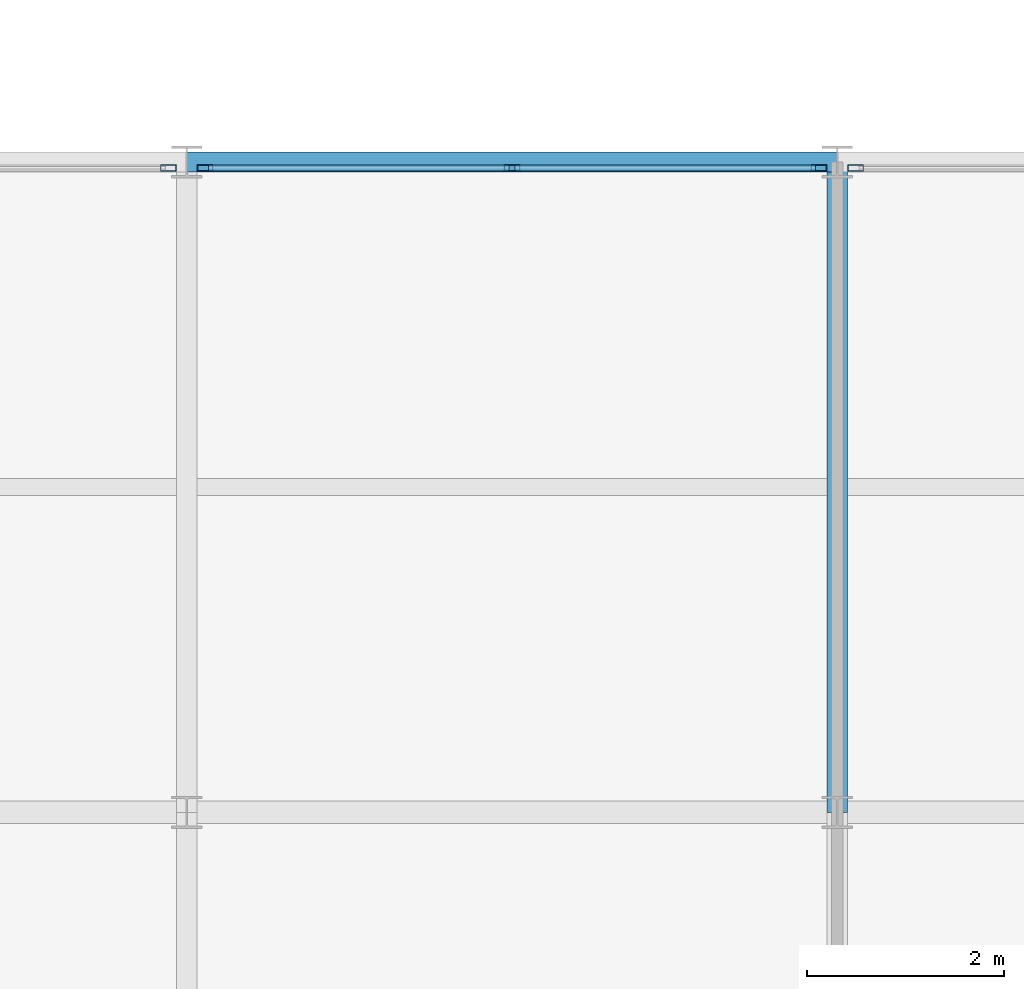
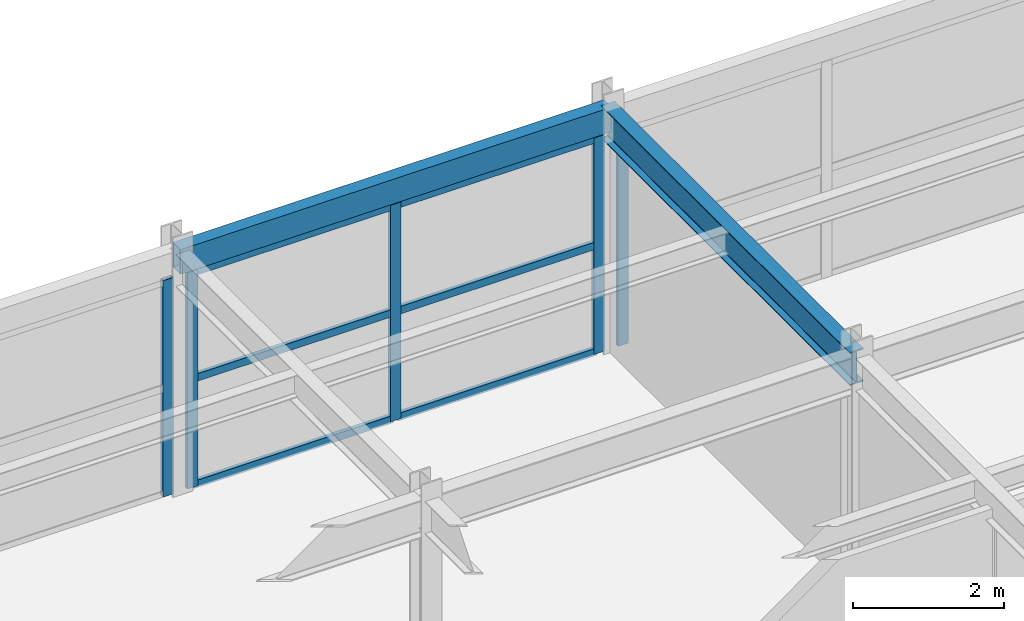
# One storey, part 85 of 134: 11 members, 2 beams, 3 elements without a shape of their own.
"""IFC4 building model written with IfcOpenShell, lengths in metres."""

from ifc_helpers import new_model, si_unit, direction, frame, origin, origin_2d, place, context, subcontext, project, spatial, hollow_rectangle, i_section, extrude, material, material_profile, profile_set, type_object, element, aggregate, save


model = new_model("IFC4")

# Units and contexts
model_context = context("Model", 3, precision=1e-05, world=origin(), true_north=direction((0.0, 1.0)))
body_context = subcontext(model_context, "Body", "Model", "MODEL_VIEW")
ifc_project = project(units=[si_unit("LENGTHUNIT", "METRE"), si_unit("AREAUNIT", "SQUARE_METRE"), si_unit("VOLUMEUNIT", "CUBIC_METRE"), si_unit("PLANEANGLEUNIT", "RADIAN"), si_unit("MASSUNIT", "GRAM", prefix="KILO")], contexts=[model_context])

# Site, building, storey
site_placement = place(None, origin())
site = spatial("IfcSite", under=ifc_project, at=site_placement, CompositionType="ELEMENT")
building_placement = place(site_placement, origin())
building = spatial("IfcBuilding", under=site, at=building_placement, Name="Karori Crest Natural Sciences Institute", CompositionType="ELEMENT")
storey_placement = place(building_placement, frame((0.0, 0.0, 21.699951171875)))
storey = spatial("IfcBuildingStorey", under=building, at=storey_placement, Name="L05", CompositionType="ELEMENT", Elevation=21.699951171875)

# Beams
ifc_material_1 = material(Name="Structural steel AS/NZS 3679.1 Grade 350", Category="steel")
ifc_material_profile_1 = material_profile(ifc_material_1, i_section(OverallWidth=0.208984375, OverallDepth=0.532958984375, WebThickness=0.01025390625, FlangeThickness=0.015625, FilletRadius=0.013916015625, at=origin_2d()), Name="530UB92.4")
ifc_profile_set_1 = profile_set([ifc_material_profile_1], Name="Structural steel AS/NZS 3679.1 Grade 350")
beam_type_1 = type_object("IfcBeamType", Name="BT-05", PredefinedType="BEAM", material=ifc_profile_set_1)
beam_1_placement = place(storey_placement, frame((136.60009765625, 14.0, 3.653564453125), z_axis=(0.0, 1.0, 0.0), x_axis=(-1.0, 0.0, 0.0)))
element("IfcBeam", 1, at=beam_1_placement, inside=storey, type_object=beam_type_1, Name="Beam B-2505", PredefinedType="BEAM", context=body_context, shape_type="SweptSolid", body=[
    extrude(i_section(OverallWidth=0.208984375, OverallDepth=0.532958984375, WebThickness=0.01025390625, FlangeThickness=0.015625, FilletRadius=0.013916015625, at=origin_2d()), origin(), (0.0, 0.0, 1.0), 6.60009765625),
])
ifc_material_2 = material(Name="Hollow structural steel AS/NZS 1163 Grade C350", Category="steel")
ifc_material_profile_2 = material_profile(ifc_material_2, hollow_rectangle(XDim=0.199951171875, YDim=0.39990234375, WallThickness=0.012451171875, at=origin_2d()), Name="RHS400x200x12.5")
ifc_profile_set_2 = profile_set([ifc_material_profile_2], Name="Hollow structural steel AS/NZS 1163 Grade C350")
beam_type_2 = type_object("IfcBeamType", Name="BT-14", PredefinedType="SPANDREL", material=ifc_profile_set_2)
beam_2_placement = place(storey_placement, frame((130.0, 20.60009765625, 3.719970703125), z_axis=(1.0, 0.0, 0.0), x_axis=(0.0, 1.0, 0.0)))
element("IfcBeam", 2, at=beam_2_placement, inside=storey, type_object=beam_type_2, Name="Beam B-2483", PredefinedType="SPANDREL", context=body_context, shape_type="SweptSolid", body=[
    extrude(hollow_rectangle(XDim=0.199951171875, YDim=0.39990234375, WallThickness=0.012451171875, at=origin_2d()), origin(), (0.0, 0.0, 1.0), 6.60009765625),
])

# Curtain wall, member
ifc_material_3 = material(Name="Anodised architectural aluminium 6063-T6", Category="aluminium")
curtain_wall_type = type_object("IfcCurtainWallType", Name="CWT-20", PredefinedType="NOTDEFINED", material=ifc_material_3)
curtain_wall_1_placement = place(storey_placement, origin())
curtain_wall_1 = element("IfcCurtainWall", 3, at=curtain_wall_1_placement, inside=storey, type_object=curtain_wall_type, Name="Curtain wall CW-0343", PredefinedType="NOTDEFINED")
ifc_material_profile_3 = material_profile(ifc_material_3, hollow_rectangle(XDim=0.06494140625, YDim=0.159912109375, WallThickness=0.00390625, at=origin_2d()), Name="CWM160x65x4")
ifc_profile_set_3 = profile_set([ifc_material_profile_3], Name="Anodised architectural aluminium 6063-T6")
member_type_1 = type_object("IfcMemberType", Name="CWM-01", PredefinedType="MULLION", material=ifc_profile_set_3)
member_1_placement = place(storey_placement, frame((129.81396484375, 20.5400390625, 0.0), z_axis=(0.0, 0.0, 1.0), x_axis=(0.0, 1.0, 0.0)))
member_1 = element("IfcMember", 4, at=member_1_placement, type_object=member_type_1, Name="CW-0343 mullion 3", PredefinedType="MULLION", context=body_context, shape_type="SweptSolid", body=[
    extrude(hollow_rectangle(XDim=0.06494140625, YDim=0.159912109375, WallThickness=0.00390625, at=origin_2d()), origin(), (0.0, 0.0, 1.0), 3.505126953125),
])
aggregate(curtain_wall_1, [member_1])

# Curtain wall, members
curtain_wall_2_placement = place(storey_placement, origin())
curtain_wall_2 = element("IfcCurtainWall", 5, at=curtain_wall_2_placement, inside=storey, type_object=curtain_wall_type, Name="Curtain wall CW-0344", PredefinedType="NOTDEFINED")
member_2_placement = place(storey_placement, frame((130.18603515625, 20.5400390625, 0.0), z_axis=(0.0, 0.0, 1.0), x_axis=(0.0, 1.0, 0.0)))
member_2 = element("IfcMember", 6, at=member_2_placement, type_object=member_type_1, Name="CW-0344 mullion 1", PredefinedType="MULLION", context=body_context, shape_type="SweptSolid", body=[
    extrude(hollow_rectangle(XDim=0.06494140625, YDim=0.159912109375, WallThickness=0.00390625, at=origin_2d()), origin(), (0.0, 0.0, 1.0), 3.505126953125),
])
member_3_placement = place(storey_placement, frame((133.300048828125, 20.5400390625, 0.0), z_axis=(0.0, 0.0, 1.0), x_axis=(0.0, 1.0, 0.0)))
member_3 = element("IfcMember", 7, at=member_3_placement, type_object=member_type_1, Name="CW-0344 mullion 2", PredefinedType="MULLION", context=body_context, shape_type="SweptSolid", body=[
    extrude(hollow_rectangle(XDim=0.06494140625, YDim=0.159912109375, WallThickness=0.00390625, at=origin_2d()), origin(), (0.0, 0.0, 1.0), 3.505126953125),
])
member_4_placement = place(storey_placement, frame((136.4140625, 20.5400390625, 0.0), z_axis=(0.0, 0.0, 1.0), x_axis=(0.0, 1.0, 0.0)))
member_4 = element("IfcMember", 8, at=member_4_placement, type_object=member_type_1, Name="CW-0344 mullion 3", PredefinedType="MULLION", context=body_context, shape_type="SweptSolid", body=[
    extrude(hollow_rectangle(XDim=0.06494140625, YDim=0.159912109375, WallThickness=0.00390625, at=origin_2d()), origin(), (0.0, 0.0, 1.0), 3.505126953125),
])

# Curtain wall, member
curtain_wall_3_placement = place(storey_placement, origin())
curtain_wall_3 = element("IfcCurtainWall", 9, at=curtain_wall_3_placement, inside=storey, type_object=curtain_wall_type, Name="Curtain wall CW-0345", PredefinedType="NOTDEFINED")
member_5_placement = place(storey_placement, frame((136.785888671875, 20.5400390625, 0.0), z_axis=(0.0, 0.0, 1.0), x_axis=(0.0, 1.0, 0.0)))
member_5 = element("IfcMember", 10, at=member_5_placement, type_object=member_type_1, Name="CW-0345 mullion 1", PredefinedType="MULLION", context=body_context, shape_type="SweptSolid", body=[
    extrude(hollow_rectangle(XDim=0.06494140625, YDim=0.159912109375, WallThickness=0.00390625, at=origin_2d()), origin(), (0.0, 0.0, 1.0), 3.505126953125),
])
aggregate(curtain_wall_3, [member_5])

# Member
ifc_material_profile_4 = material_profile(ifc_material_3, hollow_rectangle(XDim=0.06005859375, YDim=0.1201171875, WallThickness=0.00390625, at=origin_2d()), Name="CWT120x60x4")
ifc_profile_set_4 = profile_set([ifc_material_profile_4], Name="Anodised architectural aluminium 6063-T6")
member_type_2 = type_object("IfcMemberType", Name="CWT-TR1", PredefinedType="USERDEFINED", material=ifc_profile_set_4)
member_6_placement = place(storey_placement, frame((130.218505859375, 20.5400390625, 0.030029296875), z_axis=(1.0, 0.0, 0.0), x_axis=(0.0, 1.0, 0.0)))
member_6 = element("IfcMember", 11, at=member_6_placement, type_object=member_type_2, Name="CW-0344 transom 1.1", ObjectType="TRANSOM", PredefinedType="USERDEFINED", context=body_context, shape_type="SweptSolid", body=[
    extrude(hollow_rectangle(XDim=0.06005859375, YDim=0.1201171875, WallThickness=0.00390625, at=origin_2d()), origin(), (0.0, 0.0, 1.0), 3.049072265625),
])

member_7_placement = place(storey_placement, frame((130.218505859375, 20.5400390625, 1.75244140625), z_axis=(1.0, 0.0, 0.0), x_axis=(0.0, 1.0, 0.0)))
member_7 = element("IfcMember", 12, at=member_7_placement, type_object=member_type_2, Name="CW-0344 transom 1.2", ObjectType="TRANSOM", PredefinedType="USERDEFINED", context=body_context, shape_type="SweptSolid", body=[
    extrude(hollow_rectangle(XDim=0.06005859375, YDim=0.1201171875, WallThickness=0.00390625, at=origin_2d()), origin(), (0.0, 0.0, 1.0), 3.049072265625),
])

member_8_placement = place(storey_placement, frame((130.218505859375, 20.5400390625, 3.47509765625), z_axis=(1.0, 0.0, 0.0), x_axis=(0.0, 1.0, 0.0)))
member_8 = element("IfcMember", 13, at=member_8_placement, type_object=member_type_2, Name="CW-0344 transom 1.3", ObjectType="TRANSOM", PredefinedType="USERDEFINED", context=body_context, shape_type="SweptSolid", body=[
    extrude(hollow_rectangle(XDim=0.06005859375, YDim=0.1201171875, WallThickness=0.00390625, at=origin_2d()), origin(), (0.0, 0.0, 1.0), 3.049072265625),
])

member_9_placement = place(storey_placement, frame((133.33251953125, 20.5400390625, 0.030029296875), z_axis=(1.0, 0.0, 0.0), x_axis=(0.0, 1.0, 0.0)))
member_9 = element("IfcMember", 14, at=member_9_placement, type_object=member_type_2, Name="CW-0344 transom 2.1", ObjectType="TRANSOM", PredefinedType="USERDEFINED", context=body_context, shape_type="SweptSolid", body=[
    extrude(hollow_rectangle(XDim=0.06005859375, YDim=0.1201171875, WallThickness=0.00390625, at=origin_2d()), origin(), (0.0, 0.0, 1.0), 3.049072265625),
])

member_10_placement = place(storey_placement, frame((133.33251953125, 20.5400390625, 1.75244140625), z_axis=(1.0, 0.0, 0.0), x_axis=(0.0, 1.0, 0.0)))
member_10 = element("IfcMember", 15, at=member_10_placement, type_object=member_type_2, Name="CW-0344 transom 2.2", ObjectType="TRANSOM", PredefinedType="USERDEFINED", context=body_context, shape_type="SweptSolid", body=[
    extrude(hollow_rectangle(XDim=0.06005859375, YDim=0.1201171875, WallThickness=0.00390625, at=origin_2d()), origin(), (0.0, 0.0, 1.0), 3.049072265625),
])

member_11_placement = place(storey_placement, frame((133.33251953125, 20.5400390625, 3.47509765625), z_axis=(1.0, 0.0, 0.0), x_axis=(0.0, 1.0, 0.0)))
member_11 = element("IfcMember", 16, at=member_11_placement, type_object=member_type_2, Name="CW-0344 transom 2.3", ObjectType="TRANSOM", PredefinedType="USERDEFINED", context=body_context, shape_type="SweptSolid", body=[
    extrude(hollow_rectangle(XDim=0.06005859375, YDim=0.1201171875, WallThickness=0.00390625, at=origin_2d()), origin(), (0.0, 0.0, 1.0), 3.049072265625),
])

aggregate(curtain_wall_2, [member_2, member_3, member_4, member_6, member_7, member_8, member_9, member_10, member_11])

save(model, "model.ifc")
